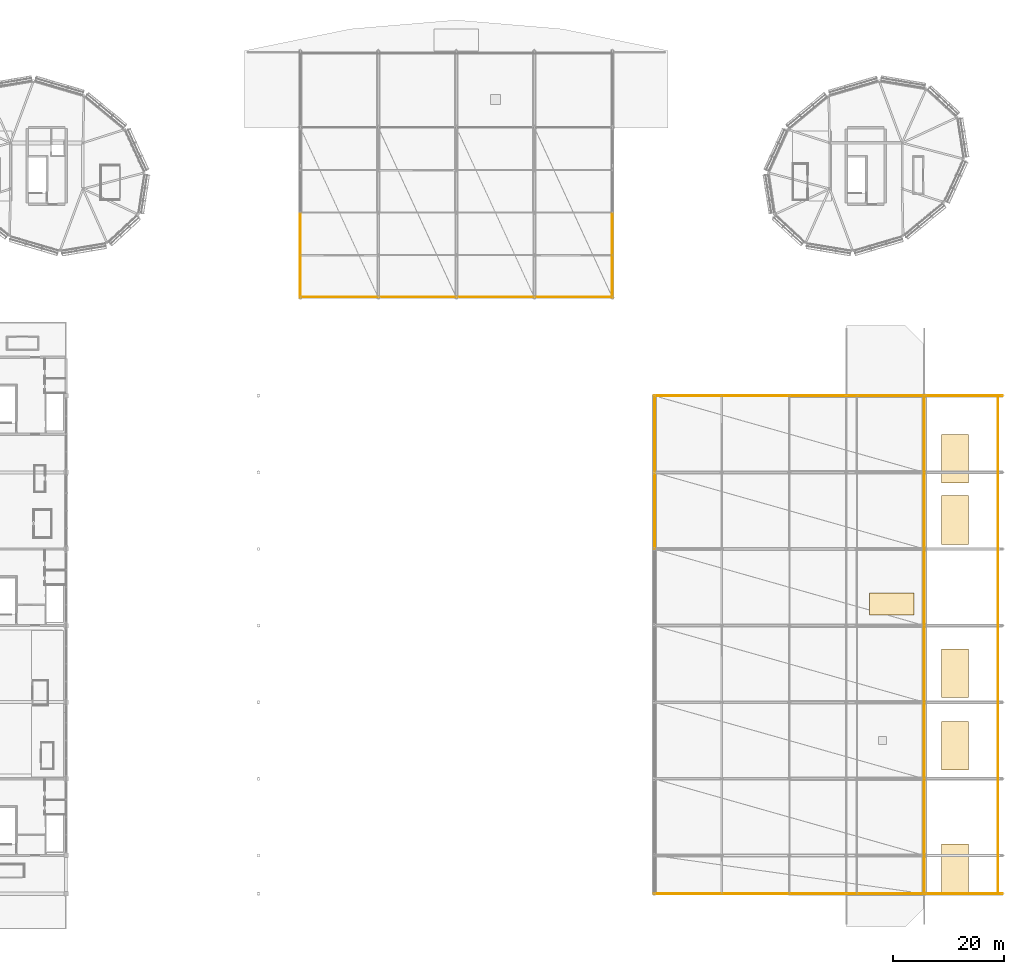
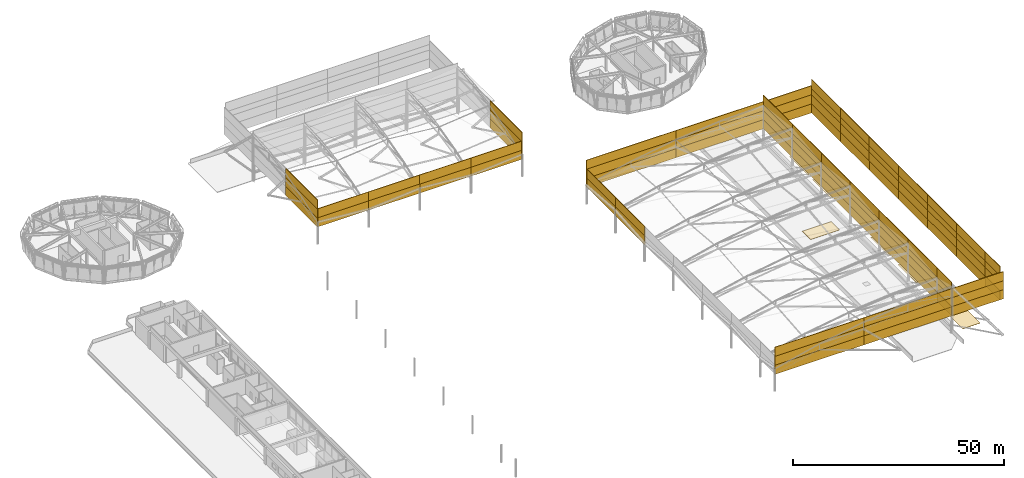
# One storey, part 109 of 113: 92 shading devices, 6 coverings.
"""IFC4 building model written with IfcOpenShell, lengths in metres."""

from ifc_helpers import new_model, si_unit, direction, frame, origin, origin_2d, place, context, subcontext, project, spatial, polyline, rectangle, outline, extrude, material, layer, layer_set, type_object, element, save


model = new_model("IFC4")

# Units and contexts
model_context = context("Model", 3, precision=1e-05, world=origin(), true_north=direction((0.0, 1.0)))
body_context = subcontext(model_context, "Body", "Model", "MODEL_VIEW")
ifc_project = project(units=[si_unit("LENGTHUNIT", "METRE"), si_unit("AREAUNIT", "SQUARE_METRE"), si_unit("VOLUMEUNIT", "CUBIC_METRE"), si_unit("PLANEANGLEUNIT", "RADIAN"), si_unit("MASSUNIT", "GRAM", prefix="KILO")], contexts=[model_context])

# Site, building, storey
site_placement = place(None, origin())
site = spatial("IfcSite", under=ifc_project, at=site_placement, CompositionType="ELEMENT")
building_placement = place(site_placement, origin())
building = spatial("IfcBuilding", under=site, at=building_placement, Name="Linyun Crest Stadium", CompositionType="ELEMENT")
storey_placement = place(building_placement, frame((0.0, 0.0, 26.39990234375)))
storey = spatial("IfcBuildingStorey", under=building, at=storey_placement, Name="L06", CompositionType="ELEMENT", Elevation=26.39990234375)

# Coverings
ifc_material_1 = material(Name="Verdigris standing-seam titanium-zinc roof membrane")
ifc_layer_1 = layer(ifc_material_1, 0.034912109375)
ifc_layer_set_1 = layer_set([ifc_layer_1], Name="Verdigris standing-seam titanium-zinc roof membrane")
covering_type = type_object("IfcCoveringType", Name="RFG01", PredefinedType="ROOFING", material=ifc_layer_set_1)
covering_1_placement = place(storey_placement, frame((0.0, 0.0, -0.21484375)))
element("IfcCovering", 1, at=covering_1_placement, inside=storey, type_object=covering_type, Name="Stair shaft roof covering RFG01 STR-18", PredefinedType="ROOFING", context=body_context, shape_type="SweptSolid", body=[
    extrude(outline(polyline([(87.10009765625, -45.800048828125), (91.89990234375, -45.800048828125), (91.89990234375, -37.050048828125), (87.10009765625, -37.050048828125), (87.10009765625, -45.800048828125)])), origin(), (0.0, 0.0, 1.0), 0.034912109375),
])
covering_2_placement = place(storey_placement, frame((0.0, 0.0, -0.21484375)))
element("IfcCovering", 2, at=covering_2_placement, inside=storey, type_object=covering_type, Name="Stair shaft roof covering RFG01 STR-19", PredefinedType="ROOFING", context=body_context, shape_type="SweptSolid", body=[
    extrude(outline(polyline([(87.10009765625, -23.800048828125), (91.89990234375, -23.800048828125), (91.89990234375, -15.050048828125), (87.10009765625, -15.050048828125), (87.10009765625, -23.800048828125)])), origin(), (0.0, 0.0, 1.0), 0.034912109375),
])
covering_3_placement = place(storey_placement, frame((0.0, 0.0, -0.21484375)))
element("IfcCovering", 3, at=covering_3_placement, inside=storey, type_object=covering_type, Name="Stair shaft roof covering RFG01 STR-20", PredefinedType="ROOFING", context=body_context, shape_type="SweptSolid", body=[
    extrude(outline(polyline([(87.10009765625, -10.800048828125), (91.89990234375, -10.800048828125), (91.89990234375, -2.050048828125), (87.10009765625, -2.050048828125), (87.10009765625, -10.800048828125)])), origin(), (0.0, 0.0, 1.0), 0.034912109375),
])
covering_4_placement = place(storey_placement, frame((0.0, 0.0, -0.21484375)))
element("IfcCovering", 4, at=covering_4_placement, inside=storey, type_object=covering_type, Name="Stair shaft roof covering RFG01 STR-21", PredefinedType="ROOFING", context=body_context, shape_type="SweptSolid", body=[
    extrude(outline(polyline([(87.10009765625, 16.699951171875), (91.89990234375, 16.699951171875), (91.89990234375, 25.449951171875), (87.10009765625, 25.449951171875), (87.10009765625, 16.699951171875)])), origin(), (0.0, 0.0, 1.0), 0.034912109375),
])
covering_5_placement = place(storey_placement, frame((0.0, 0.0, -0.21484375)))
element("IfcCovering", 5, at=covering_5_placement, inside=storey, type_object=covering_type, Name="Stair shaft roof covering RFG01 STR-22", PredefinedType="ROOFING", context=body_context, shape_type="SweptSolid", body=[
    extrude(outline(polyline([(87.10009765625, 27.699951171875), (91.89990234375, 27.699951171875), (91.89990234375, 36.449951171875), (87.10009765625, 36.449951171875), (87.10009765625, 27.699951171875)])), origin(), (0.0, 0.0, 1.0), 0.034912109375),
])
covering_6_placement = place(storey_placement, origin())
element("IfcCovering", 6, at=covering_6_placement, inside=storey, type_object=covering_type, Name="Roof membrane covering RFG01 L06 75", PredefinedType="ROOFING", context=body_context, shape_type="SweptSolid", body=[
    extrude(outline(polyline([(74.1669921875, 4.0), (82.1669921875, 4.0), (82.1669921875, 8.0), (74.1669921875, 8.0), (74.1669921875, 4.0)])), origin(), (0.0, 0.0, 1.0), 0.03515625),
])

# Shading devices
ifc_material_2 = material(Name="Verdigris painted aluminium sun-louvre screen", Category="aluminium")
ifc_layer_2 = layer(ifc_material_2, 0.080078125)
ifc_layer_set_2 = layer_set([ifc_layer_2], Name="Verdigris painted aluminium sun-louvre screen")
shading_device_type_1 = type_object("IfcShadingDeviceType", Name="SD01", PredefinedType="JALOUSIE", material=ifc_layer_set_2)
for number, where, z_axis, x_axis, name in (
    (7, (97.199951171875, -42.56201171875, 4.875244140625), (0.0, 0.0, 1.0), (1.0, 0.0, 0.0), "East canopy louvre screen SD01 91"),
    (8, (97.199951171875, -42.56201171875, 7.47509765625), (0.0, 0.0, 1.0), (1.0, 0.0, 0.0), "East canopy louvre screen SD01 94"),
    (9, (97.199951171875, -42.56201171875, 10.0751953125), (0.0, 0.0, 1.0), (1.0, 0.0, 0.0), "East canopy louvre screen SD01 97"),
    (10, (97.199951171875, -42.56201171875, 11.875244140625), (0.0, 0.0, 1.0), (1.0, 0.0, 0.0), "East canopy louvre screen SD01 99"),
):
    element("IfcShadingDevice", number, at=place(storey_placement, frame(where, z_axis=z_axis, x_axis=x_axis)), inside=storey, type_object=shading_device_type_1, Name=name, PredefinedType="JALOUSIE", context=body_context, shape_type="SweptSolid", body=[
        extrude(rectangle(XDim=0.159912109375, YDim=6.97509765625, at=origin_2d()), origin(), (0.0, 0.0, 1.0), 2.64990234375),
    ])
for number, where, z_axis, x_axis, name in (
    (11, (97.199951171875, -32.25, 4.875244140625), (0.0, 0.0, 1.0), (1.0, 0.0, 0.0), "East canopy louvre screen SD01 101"),
    (12, (97.199951171875, -32.25, 7.47509765625), (0.0, 0.0, 1.0), (1.0, 0.0, 0.0), "East canopy louvre screen SD01 104"),
    (13, (97.199951171875, -32.25, 10.0751953125), (0.0, 0.0, 1.0), (1.0, 0.0, 0.0), "East canopy louvre screen SD01 107"),
    (14, (97.199951171875, -32.25, 11.875244140625), (0.0, 0.0, 1.0), (1.0, 0.0, 0.0), "East canopy louvre screen SD01 109"),
    (15, (97.199951171875, -18.5, 4.875244140625), (0.0, 0.0, 1.0), (1.0, 0.0, 0.0), "East canopy louvre screen SD01 111"),
    (16, (97.199951171875, -18.5, 7.47509765625), (0.0, 0.0, 1.0), (1.0, 0.0, 0.0), "East canopy louvre screen SD01 114"),
    (17, (97.199951171875, -18.5, 10.0751953125), (0.0, 0.0, 1.0), (1.0, 0.0, 0.0), "East canopy louvre screen SD01 117"),
    (18, (97.199951171875, -18.5, 11.875244140625), (0.0, 0.0, 1.0), (1.0, 0.0, 0.0), "East canopy louvre screen SD01 119"),
    (19, (97.199951171875, -4.75, 4.875244140625), (0.0, 0.0, 1.0), (1.0, 0.0, 0.0), "East canopy louvre screen SD01 121"),
    (20, (97.199951171875, -4.75, 7.47509765625), (0.0, 0.0, 1.0), (1.0, 0.0, 0.0), "East canopy louvre screen SD01 124"),
    (21, (97.199951171875, -4.75, 10.0751953125), (0.0, 0.0, 1.0), (1.0, 0.0, 0.0), "East canopy louvre screen SD01 127"),
    (22, (97.199951171875, -4.75, 11.875244140625), (0.0, 0.0, 1.0), (1.0, 0.0, 0.0), "East canopy louvre screen SD01 129"),
    (23, (97.199951171875, 9.0, 4.875244140625), (0.0, 0.0, 1.0), (1.0, 0.0, 0.0), "East canopy louvre screen SD01 131"),
    (24, (97.199951171875, 9.0, 7.47509765625), (0.0, 0.0, 1.0), (1.0, 0.0, 0.0), "East canopy louvre screen SD01 134"),
    (25, (97.199951171875, 9.0, 10.0751953125), (0.0, 0.0, 1.0), (1.0, 0.0, 0.0), "East canopy louvre screen SD01 137"),
    (26, (97.199951171875, 9.0, 11.875244140625), (0.0, 0.0, 1.0), (1.0, 0.0, 0.0), "East canopy louvre screen SD01 139"),
    (27, (97.199951171875, 22.75, 4.875244140625), (0.0, 0.0, 1.0), (1.0, 0.0, 0.0), "East canopy louvre screen SD01 141"),
    (28, (35.60009765625, 22.75, 4.875244140625), (0.0, 0.0, 1.0), (1.0, 0.0, 0.0), "East canopy louvre screen SD01 143"),
    (29, (97.199951171875, 22.75, 7.47509765625), (0.0, 0.0, 1.0), (1.0, 0.0, 0.0), "East canopy louvre screen SD01 144"),
    (30, (35.60009765625, 22.75, 7.47509765625), (0.0, 0.0, 1.0), (1.0, 0.0, 0.0), "East canopy louvre screen SD01 146"),
    (31, (97.199951171875, 22.75, 10.0751953125), (0.0, 0.0, 1.0), (1.0, 0.0, 0.0), "East canopy louvre screen SD01 147"),
    (32, (97.199951171875, 22.75, 11.875244140625), (0.0, 0.0, 1.0), (1.0, 0.0, 0.0), "East canopy louvre screen SD01 149"),
    (33, (97.199951171875, 36.5, 4.875244140625), (0.0, 0.0, 1.0), (1.0, 0.0, 0.0), "East canopy louvre screen SD01 151"),
    (34, (35.60009765625, 36.5, 4.875244140625), (0.0, 0.0, 1.0), (1.0, 0.0, 0.0), "East canopy louvre screen SD01 153"),
    (35, (97.199951171875, 36.5, 7.47509765625), (0.0, 0.0, 1.0), (1.0, 0.0, 0.0), "East canopy louvre screen SD01 154"),
    (36, (35.60009765625, 36.5, 7.47509765625), (0.0, 0.0, 1.0), (1.0, 0.0, 0.0), "East canopy louvre screen SD01 156"),
    (37, (97.199951171875, 36.5, 10.0751953125), (0.0, 0.0, 1.0), (1.0, 0.0, 0.0), "East canopy louvre screen SD01 157"),
    (38, (97.199951171875, 36.5, 11.875244140625), (0.0, 0.0, 1.0), (1.0, 0.0, 0.0), "East canopy louvre screen SD01 159"),
):
    element("IfcShadingDevice", number, at=place(storey_placement, frame(where, z_axis=z_axis, x_axis=x_axis)), inside=storey, type_object=shading_device_type_1, Name=name, PredefinedType="JALOUSIE", context=body_context, shape_type="SweptSolid", body=[
        extrude(rectangle(XDim=0.159912109375, YDim=13.85009765625, at=origin_2d()), origin(), (0.0, 0.0, 1.0), 2.64990234375),
    ])
for number, where, z_axis, x_axis, name in (
    (39, (-21.0, 61.10009765625, 4.875244140625), (0.0, 0.0, 1.0), (1.0, 0.0, 0.0), "North canopy louvre screen SD01 181"),
    (40, (-21.0, 61.10009765625, 7.47509765625), (0.0, 0.0, 1.0), (1.0, 0.0, 0.0), "North canopy louvre screen SD01 184"),
    (41, (-7.0, 61.10009765625, 4.875244140625), (0.0, 0.0, 1.0), (1.0, 0.0, 0.0), "North canopy louvre screen SD01 191"),
    (42, (-7.0, 61.10009765625, 7.47509765625), (0.0, 0.0, 1.0), (1.0, 0.0, 0.0), "North canopy louvre screen SD01 194"),
    (43, (7.0, 61.10009765625, 4.875244140625), (0.0, 0.0, 1.0), (1.0, 0.0, 0.0), "North canopy louvre screen SD01 201"),
    (44, (7.0, 61.10009765625, 7.47509765625), (0.0, 0.0, 1.0), (1.0, 0.0, 0.0), "North canopy louvre screen SD01 204"),
    (45, (21.0, 61.10009765625, 4.875244140625), (0.0, 0.0, 1.0), (1.0, 0.0, 0.0), "North canopy louvre screen SD01 211"),
    (46, (21.0, 61.10009765625, 7.47509765625), (0.0, 0.0, 1.0), (1.0, 0.0, 0.0), "North canopy louvre screen SD01 214"),
):
    element("IfcShadingDevice", number, at=place(storey_placement, frame(where, z_axis=z_axis, x_axis=x_axis)), inside=storey, type_object=shading_device_type_1, Name=name, PredefinedType="JALOUSIE", context=body_context, shape_type="SweptSolid", body=[
        extrude(rectangle(XDim=14.10009765625, YDim=0.159912109375, at=origin_2d()), origin(), (0.0, 0.0, 1.0), 2.64990234375),
    ])
ifc_material_3 = material(Name="Glazed ceramic faience brise-soleil screen")
ifc_layer_3 = layer(ifc_material_3, 0.10009765625)
ifc_layer_set_3 = layer_set([ifc_layer_3], Name="Glazed ceramic faience brise-soleil screen")
shading_device_type_2 = type_object("IfcShadingDeviceType", Name="SD02", PredefinedType="SHUTTER", material=ifc_layer_set_3)
for number, where, z_axis, x_axis, name in (
    (47, (84.0, -42.56201171875, 4.875244140625), (0.0, 0.0, 1.0), (1.0, 0.0, 0.0), "East canopy louvre screen SD02 92"),
    (48, (84.0, -42.56201171875, 7.47509765625), (0.0, 0.0, 1.0), (1.0, 0.0, 0.0), "East canopy louvre screen SD02 95"),
    (49, (84.0, -42.56201171875, 10.0751953125), (0.0, 0.0, 1.0), (1.0, 0.0, 0.0), "East canopy louvre screen SD02 98"),
    (50, (84.0, -42.56201171875, 11.875244140625), (0.0, 0.0, 1.0), (1.0, 0.0, 0.0), "East canopy louvre screen SD02 100"),
):
    element("IfcShadingDevice", number, at=place(storey_placement, frame(where, z_axis=z_axis, x_axis=x_axis)), inside=storey, type_object=shading_device_type_2, Name=name, PredefinedType="SHUTTER", context=body_context, shape_type="SweptSolid", body=[
        extrude(rectangle(XDim=0.159912109375, YDim=6.97509765625, at=origin_2d()), origin(), (0.0, 0.0, 1.0), 2.64990234375),
    ])
for number, where, z_axis, x_axis, name in (
    (51, (84.0, -32.25, 4.875244140625), (0.0, 0.0, 1.0), (1.0, 0.0, 0.0), "East canopy louvre screen SD02 102"),
    (52, (84.0, -32.25, 7.47509765625), (0.0, 0.0, 1.0), (1.0, 0.0, 0.0), "East canopy louvre screen SD02 105"),
    (53, (84.0, -32.25, 10.0751953125), (0.0, 0.0, 1.0), (1.0, 0.0, 0.0), "East canopy louvre screen SD02 108"),
    (54, (84.0, -32.25, 11.875244140625), (0.0, 0.0, 1.0), (1.0, 0.0, 0.0), "East canopy louvre screen SD02 110"),
    (55, (84.0, -18.5, 4.875244140625), (0.0, 0.0, 1.0), (1.0, 0.0, 0.0), "East canopy louvre screen SD02 112"),
    (56, (84.0, -18.5, 7.47509765625), (0.0, 0.0, 1.0), (1.0, 0.0, 0.0), "East canopy louvre screen SD02 115"),
    (57, (84.0, -18.5, 10.0751953125), (0.0, 0.0, 1.0), (1.0, 0.0, 0.0), "East canopy louvre screen SD02 118"),
    (58, (84.0, -18.5, 11.875244140625), (0.0, 0.0, 1.0), (1.0, 0.0, 0.0), "East canopy louvre screen SD02 120"),
    (59, (84.0, -4.75, 4.875244140625), (0.0, 0.0, 1.0), (1.0, 0.0, 0.0), "East canopy louvre screen SD02 122"),
    (60, (84.0, -4.75, 7.47509765625), (0.0, 0.0, 1.0), (1.0, 0.0, 0.0), "East canopy louvre screen SD02 125"),
    (61, (84.0, -4.75, 10.0751953125), (0.0, 0.0, 1.0), (1.0, 0.0, 0.0), "East canopy louvre screen SD02 128"),
    (62, (84.0, -4.75, 11.875244140625), (0.0, 0.0, 1.0), (1.0, 0.0, 0.0), "East canopy louvre screen SD02 130"),
    (63, (84.0, 9.0, 4.875244140625), (0.0, 0.0, 1.0), (1.0, 0.0, 0.0), "East canopy louvre screen SD02 132"),
    (64, (84.0, 9.0, 7.47509765625), (0.0, 0.0, 1.0), (1.0, 0.0, 0.0), "East canopy louvre screen SD02 135"),
    (65, (84.0, 9.0, 10.0751953125), (0.0, 0.0, 1.0), (1.0, 0.0, 0.0), "East canopy louvre screen SD02 138"),
    (66, (84.0, 9.0, 11.875244140625), (0.0, 0.0, 1.0), (1.0, 0.0, 0.0), "East canopy louvre screen SD02 140"),
    (67, (84.0, 22.75, 4.875244140625), (0.0, 0.0, 1.0), (1.0, 0.0, 0.0), "East canopy louvre screen SD02 142"),
    (68, (84.0, 22.75, 7.47509765625), (0.0, 0.0, 1.0), (1.0, 0.0, 0.0), "East canopy louvre screen SD02 145"),
    (69, (84.0, 22.75, 10.0751953125), (0.0, 0.0, 1.0), (1.0, 0.0, 0.0), "East canopy louvre screen SD02 148"),
    (70, (84.0, 22.75, 11.875244140625), (0.0, 0.0, 1.0), (1.0, 0.0, 0.0), "East canopy louvre screen SD02 150"),
    (71, (84.0, 36.5, 4.875244140625), (0.0, 0.0, 1.0), (1.0, 0.0, 0.0), "East canopy louvre screen SD02 152"),
    (72, (84.0, 36.5, 7.47509765625), (0.0, 0.0, 1.0), (1.0, 0.0, 0.0), "East canopy louvre screen SD02 155"),
    (73, (84.0, 36.5, 10.0751953125), (0.0, 0.0, 1.0), (1.0, 0.0, 0.0), "East canopy louvre screen SD02 158"),
    (74, (84.0, 36.5, 11.875244140625), (0.0, 0.0, 1.0), (1.0, 0.0, 0.0), "East canopy louvre screen SD02 160"),
):
    element("IfcShadingDevice", number, at=place(storey_placement, frame(where, z_axis=z_axis, x_axis=x_axis)), inside=storey, type_object=shading_device_type_2, Name=name, PredefinedType="SHUTTER", context=body_context, shape_type="SweptSolid", body=[
        extrude(rectangle(XDim=0.159912109375, YDim=13.85009765625, at=origin_2d()), origin(), (0.0, 0.0, 1.0), 2.64990234375),
    ])
for number, where, z_axis, x_axis, name in (
    (75, (47.75, -46.0, 4.875244140625), (0.0, 0.0, 1.0), (1.0, 0.0, 0.0), "East gable louvre screen SD02 161"),
    (76, (47.75, -46.0, 7.47509765625), (0.0, 0.0, 1.0), (1.0, 0.0, 0.0), "East gable louvre screen SD02 162"),
    (77, (47.75, -46.0, 10.0751953125), (0.0, 0.0, 1.0), (1.0, 0.0, 0.0), "East gable louvre screen SD02 163"),
):
    element("IfcShadingDevice", number, at=place(storey_placement, frame(where, z_axis=z_axis, x_axis=x_axis)), inside=storey, type_object=shading_device_type_2, Name=name, PredefinedType="SHUTTER", context=body_context, shape_type="SweptSolid", body=[
        extrude(rectangle(XDim=24.60009765625, YDim=0.159912109375, at=origin_2d()), origin(), (0.0, 0.0, 1.0), 2.64990234375),
    ])
for number, where, z_axis, x_axis, name in (
    (78, (72.0, -46.0, 4.875244140625), (0.0, 0.0, 1.0), (1.0, 0.0, 0.0), "East gable louvre screen SD02 164"),
    (79, (72.0, -46.0, 7.47509765625), (0.0, 0.0, 1.0), (1.0, 0.0, 0.0), "East gable louvre screen SD02 165"),
    (80, (72.0, -46.0, 10.0751953125), (0.0, 0.0, 1.0), (1.0, 0.0, 0.0), "East gable louvre screen SD02 166"),
):
    element("IfcShadingDevice", number, at=place(storey_placement, frame(where, z_axis=z_axis, x_axis=x_axis)), inside=storey, type_object=shading_device_type_2, Name=name, PredefinedType="SHUTTER", context=body_context, shape_type="SweptSolid", body=[
        extrude(rectangle(XDim=24.10009765625, YDim=0.159912109375, at=origin_2d()), origin(), (0.0, 0.0, 1.0), 2.64990234375),
    ])
for number, where, z_axis, x_axis, name in (
    (81, (91.0, -46.0, 4.875244140625), (0.0, 0.0, 1.0), (1.0, 0.0, 0.0), "East gable louvre screen SD02 167"),
    (82, (91.0, -46.0, 7.47509765625), (0.0, 0.0, 1.0), (1.0, 0.0, 0.0), "East gable louvre screen SD02 168"),
    (83, (91.0, -46.0, 10.0751953125), (0.0, 0.0, 1.0), (1.0, 0.0, 0.0), "East gable louvre screen SD02 169"),
):
    element("IfcShadingDevice", number, at=place(storey_placement, frame(where, z_axis=z_axis, x_axis=x_axis)), inside=storey, type_object=shading_device_type_2, Name=name, PredefinedType="SHUTTER", context=body_context, shape_type="SweptSolid", body=[
        extrude(rectangle(XDim=14.10009765625, YDim=0.159912109375, at=origin_2d()), origin(), (0.0, 0.0, 1.0), 2.64990234375),
    ])
for number, where, z_axis, x_axis, name in (
    (84, (47.75, 43.375, 4.875244140625), (0.0, 0.0, 1.0), (1.0, 0.0, 0.0), "East gable louvre screen SD02 170"),
    (85, (47.75, 43.375, 7.47509765625), (0.0, 0.0, 1.0), (1.0, 0.0, 0.0), "East gable louvre screen SD02 171"),
    (86, (47.75, 43.375, 10.0751953125), (0.0, 0.0, 1.0), (1.0, 0.0, 0.0), "East gable louvre screen SD02 172"),
):
    element("IfcShadingDevice", number, at=place(storey_placement, frame(where, z_axis=z_axis, x_axis=x_axis)), inside=storey, type_object=shading_device_type_2, Name=name, PredefinedType="SHUTTER", context=body_context, shape_type="SweptSolid", body=[
        extrude(rectangle(XDim=24.60009765625, YDim=0.159912109375, at=origin_2d()), origin(), (0.0, 0.0, 1.0), 2.64990234375),
    ])
for number, where, z_axis, x_axis, name in (
    (87, (72.0, 43.375, 4.875244140625), (0.0, 0.0, 1.0), (1.0, 0.0, 0.0), "East gable louvre screen SD02 173"),
    (88, (72.0, 43.375, 7.47509765625), (0.0, 0.0, 1.0), (1.0, 0.0, 0.0), "East gable louvre screen SD02 174"),
    (89, (72.0, 43.375, 10.0751953125), (0.0, 0.0, 1.0), (1.0, 0.0, 0.0), "East gable louvre screen SD02 175"),
):
    element("IfcShadingDevice", number, at=place(storey_placement, frame(where, z_axis=z_axis, x_axis=x_axis)), inside=storey, type_object=shading_device_type_2, Name=name, PredefinedType="SHUTTER", context=body_context, shape_type="SweptSolid", body=[
        extrude(rectangle(XDim=24.10009765625, YDim=0.159912109375, at=origin_2d()), origin(), (0.0, 0.0, 1.0), 2.64990234375),
    ])
for number, where, z_axis, x_axis, name in (
    (90, (91.0, 43.375, 4.875244140625), (0.0, 0.0, 1.0), (1.0, 0.0, 0.0), "East gable louvre screen SD02 176"),
    (91, (91.0, 43.375, 7.47509765625), (0.0, 0.0, 1.0), (1.0, 0.0, 0.0), "East gable louvre screen SD02 177"),
    (92, (91.0, 43.375, 10.0751953125), (0.0, 0.0, 1.0), (1.0, 0.0, 0.0), "East gable louvre screen SD02 178"),
):
    element("IfcShadingDevice", number, at=place(storey_placement, frame(where, z_axis=z_axis, x_axis=x_axis)), inside=storey, type_object=shading_device_type_2, Name=name, PredefinedType="SHUTTER", context=body_context, shape_type="SweptSolid", body=[
        extrude(rectangle(XDim=14.10009765625, YDim=0.159912109375, at=origin_2d()), origin(), (0.0, 0.0, 1.0), 2.64990234375),
    ])
for number, where, z_axis, x_axis, name in (
    (93, (-28.0, 68.5, 4.875244140625), (0.0, 0.0, 1.0), (1.0, 0.0, 0.0), "North gable louvre screen SD02 219"),
    (94, (-28.0, 68.5, 7.47509765625), (0.0, 0.0, 1.0), (1.0, 0.0, 0.0), "North gable louvre screen SD02 220"),
    (95, (-28.0, 68.5, 10.0751953125), (0.0, 0.0, 1.0), (1.0, 0.0, 0.0), "North gable louvre screen SD02 221"),
    (96, (28.0, 68.5, 4.875244140625), (0.0, 0.0, 1.0), (1.0, 0.0, 0.0), "North gable louvre screen SD02 228"),
    (97, (28.0, 68.5, 7.47509765625), (0.0, 0.0, 1.0), (1.0, 0.0, 0.0), "North gable louvre screen SD02 229"),
    (98, (28.0, 68.5, 10.0751953125), (0.0, 0.0, 1.0), (1.0, 0.0, 0.0), "North gable louvre screen SD02 230"),
):
    element("IfcShadingDevice", number, at=place(storey_placement, frame(where, z_axis=z_axis, x_axis=x_axis)), inside=storey, type_object=shading_device_type_2, Name=name, PredefinedType="SHUTTER", context=body_context, shape_type="SweptSolid", body=[
        extrude(rectangle(XDim=0.159912109375, YDim=15.10009765625, at=origin_2d()), origin(), (0.0, 0.0, 1.0), 2.64990234375),
    ])

save(model, "model.ifc")
